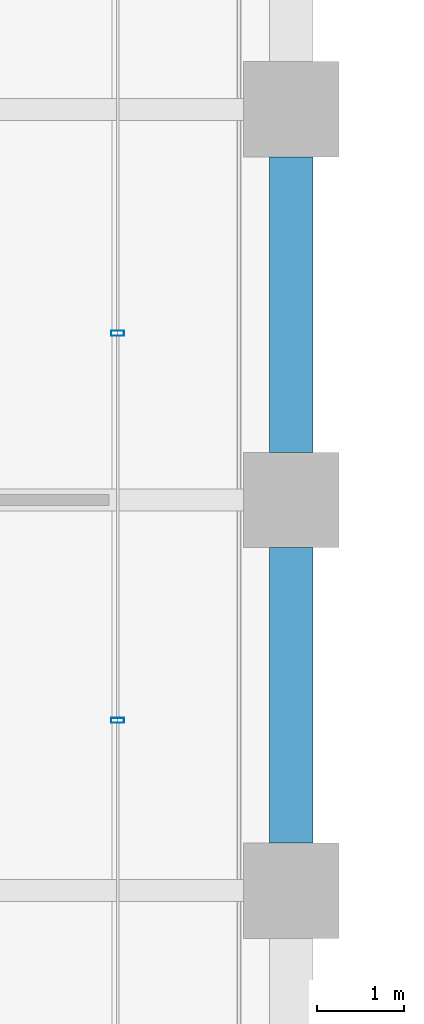
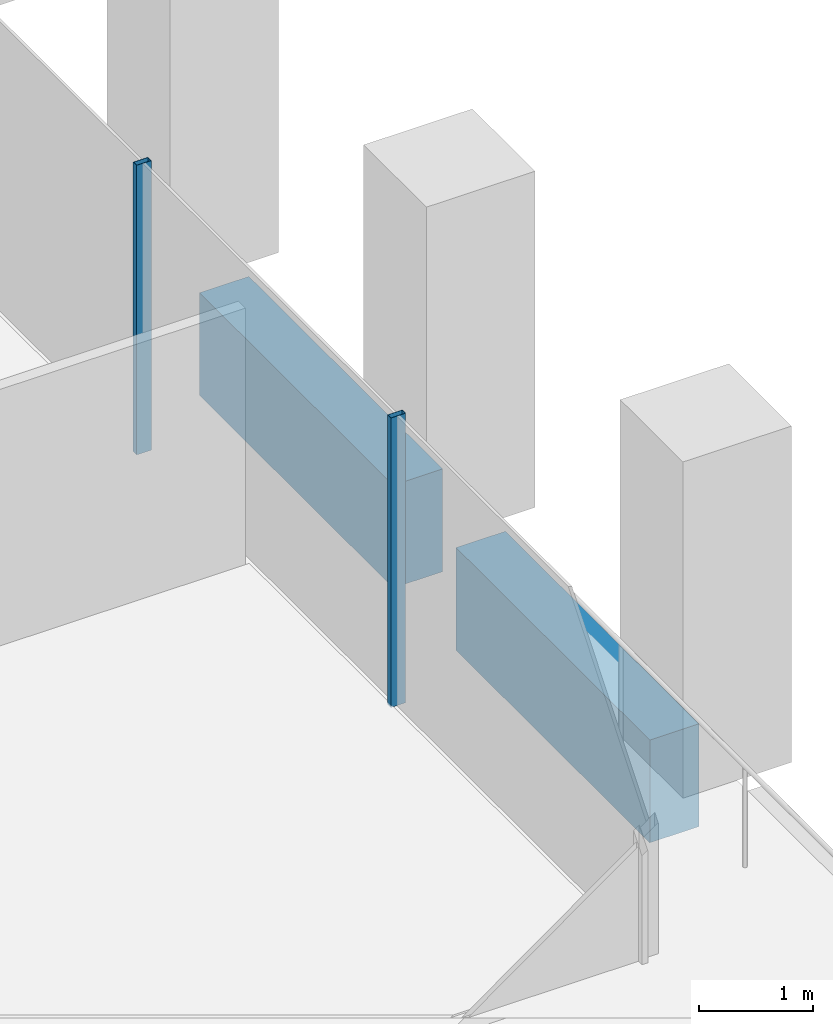
# One storey, part 18 of 54: 2 beams, 2 members, 1 element without a shape of its own.
"""IFC4 building model written with IfcOpenShell, lengths in metres."""

from ifc_helpers import new_model, si_unit, direction, frame, origin, origin_2d, place, context, subcontext, project, spatial, rectangle, hollow_rectangle, extrude, material, material_profile, profile_set, type_object, element, aggregate, save


model = new_model("IFC4")

# Units and contexts
model_context = context("Model", 3, precision=1e-05, world=origin(), true_north=direction((0.0, 1.0)))
body_context = subcontext(model_context, "Body", "Model", "MODEL_VIEW")
ifc_project = project(units=[si_unit("LENGTHUNIT", "METRE"), si_unit("AREAUNIT", "SQUARE_METRE"), si_unit("VOLUMEUNIT", "CUBIC_METRE"), si_unit("PLANEANGLEUNIT", "RADIAN"), si_unit("MASSUNIT", "GRAM", prefix="KILO")], contexts=[model_context])

# Site, building, storey
site_placement = place(None, origin())
site = spatial("IfcSite", under=ifc_project, at=site_placement, CompositionType="ELEMENT")
building_placement = place(site_placement, origin())
building = spatial("IfcBuilding", under=site, at=building_placement, Name="Altepetl Exchange Towers", CompositionType="ELEMENT")
storey_placement = place(building_placement, frame((0.0, 0.0, 58.199951171875)))
storey = spatial("IfcBuildingStorey", under=building, at=storey_placement, Name="L13", CompositionType="ELEMENT", Elevation=58.199951171875)

# Curtain wall, members
ifc_material_1 = material(Name="Aluminium 6063-T6 glazing", Category="aluminium")
curtain_wall_type = type_object("IfcCurtainWallType", Name="Loggia glazing system", PredefinedType="NOTDEFINED", material=ifc_material_1)
curtain_wall_placement = place(storey_placement, origin())
curtain_wall = element("IfcCurtainWall", 1, at=curtain_wall_placement, inside=storey, type_object=curtain_wall_type, Name="CW1 run", PredefinedType="NOTDEFINED")
ifc_material_2 = material(Name="Aluminium 6063-T6", Category="aluminium")
ifc_material_profile_1 = material_profile(ifc_material_2, hollow_rectangle(XDim=0.06005859375, YDim=0.14990234375, WallThickness=0.0029296875, at=origin_2d()), Name="Mullion 60x150 aluminium")
ifc_profile_set_1 = profile_set([ifc_material_profile_1], Name="Aluminium 6063-T6")
member_type = type_object("IfcMemberType", Name="Mullion 60x150 aluminium", PredefinedType="MULLION", material=ifc_profile_set_1)
member_1_placement = place(storey_placement, frame((70.0, 37.9609375, 0.0), z_axis=(0.0, 0.0, 1.0), x_axis=(0.0, 1.0, 0.0)))
member_1 = element("IfcMember", 2, at=member_1_placement, type_object=member_type, Name="MU1 mullion", PredefinedType="MULLION", context=body_context, shape_type="SweptSolid", body=[
    extrude(hollow_rectangle(XDim=0.06005859375, YDim=0.14990234375, WallThickness=0.0029296875, at=origin_2d()), origin(), (0.0, 0.0, 1.0), 3.10009765625),
])
member_2_placement = place(storey_placement, frame((70.0, 42.422119140625, 0.0), z_axis=(0.0, 0.0, 1.0), x_axis=(0.0, 1.0, 0.0)))
member_2 = element("IfcMember", 3, at=member_2_placement, type_object=member_type, Name="MU1 mullion", PredefinedType="MULLION", context=body_context, shape_type="SweptSolid", body=[
    extrude(hollow_rectangle(XDim=0.06005859375, YDim=0.14990234375, WallThickness=0.0029296875, at=origin_2d()), origin(), (0.0, 0.0, 1.0), 3.10009765625),
])
aggregate(curtain_wall, [member_1, member_2])

# Beams
ifc_material_3 = material(Name="Concrete C50/60 precast with cantera amarilla facing", Category="concrete")
ifc_material_profile_2 = material_profile(ifc_material_3, rectangle(XDim=0.5, YDim=1.10009765625, at=origin_2d()), Name="500 x 1100")
ifc_profile_set_2 = profile_set([ifc_material_profile_2], Name="Concrete C50/60 precast with cantera amarilla facing")
beam_type = type_object("IfcBeamType", Name="Spandrel beam 500x1100 cantera amarilla", PredefinedType="SPANDREL", material=ifc_profile_set_2)
for number, where, z_axis, x_axis, name in (
    (4, (72.0, 36.550048828125, -0.699951171875), (0.0, 1.0, 0.0), (-1.0, 0.0, 0.0), "sp:A:L13:013"),
    (5, (72.0, 41.050048828125, -0.699951171875), (0.0, 1.0, 0.0), (-1.0, 0.0, 0.0), "sp:A:L13:014"),
):
    element("IfcBeam", number, at=place(storey_placement, frame(where, z_axis=z_axis, x_axis=x_axis)), inside=storey, type_object=beam_type, Name=name, PredefinedType="SPANDREL", context=body_context, shape_type="SweptSolid", body=[
        extrude(rectangle(XDim=0.5, YDim=1.10009765625, at=origin_2d()), origin(), (0.0, 0.0, 1.0), 3.39990234375),
    ])

save(model, "model.ifc")
